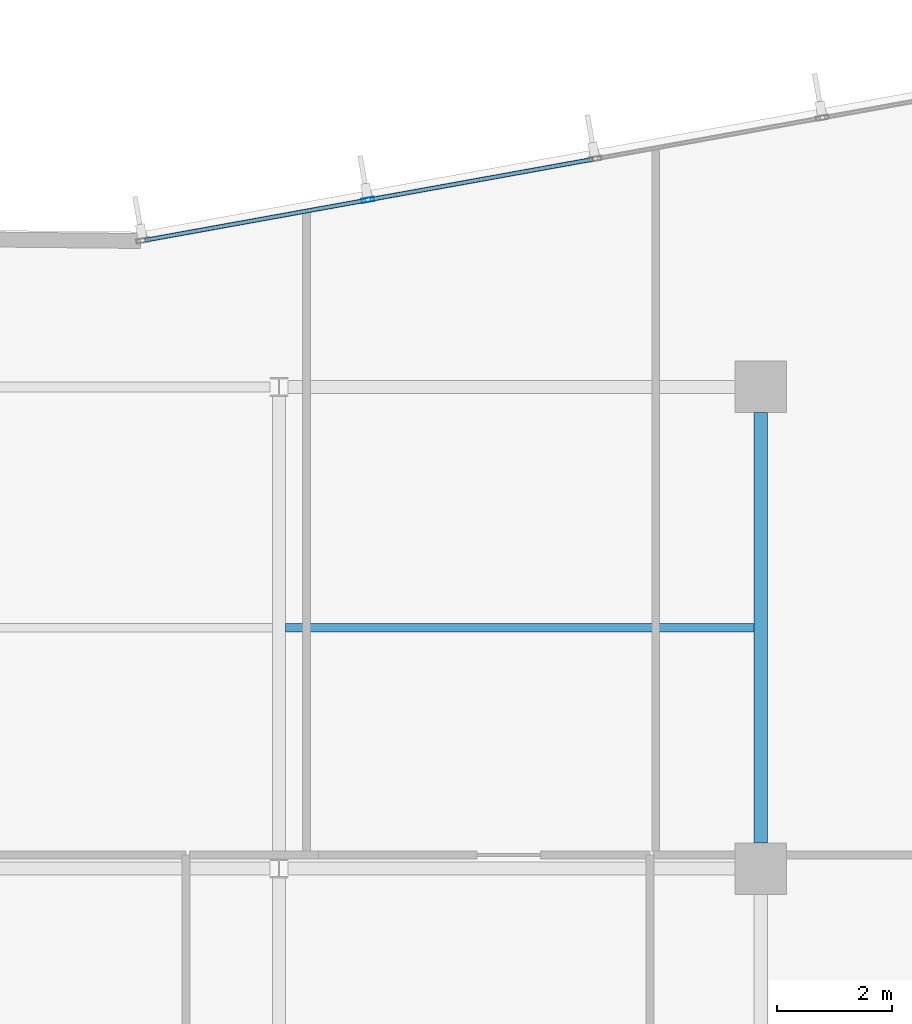
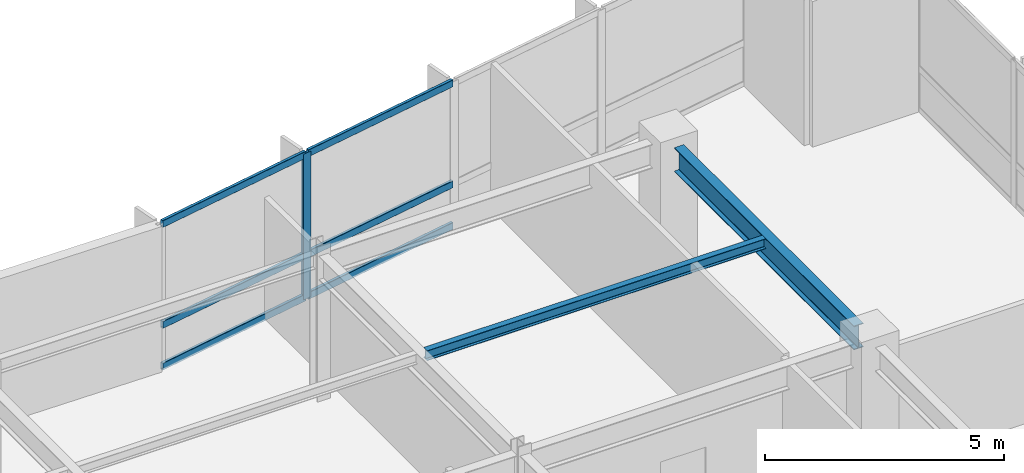
# One storey, part 8 of 21: 7 members, 2 beams, 1 element without a shape of its own.
"""IFC4 building model written with IfcOpenShell, lengths in metres."""

from ifc_helpers import new_model, si_unit, direction, frame, origin, origin_2d, place, context, subcontext, project, spatial, hollow_rectangle, i_section, extrude, material, layer, layer_set, material_profile, profile_set, type_object, element, aggregate, save


model = new_model("IFC4")

# Units and contexts
model_context = context("Model", 3, precision=1e-05, world=origin(), true_north=direction((0.0, 1.0)))
body_context = subcontext(model_context, "Body", "Model", "MODEL_VIEW")
ifc_project = project(units=[si_unit("LENGTHUNIT", "METRE"), si_unit("AREAUNIT", "SQUARE_METRE"), si_unit("VOLUMEUNIT", "CUBIC_METRE"), si_unit("PLANEANGLEUNIT", "RADIAN"), si_unit("MASSUNIT", "GRAM", prefix="KILO")], contexts=[model_context])

# Site, building, storey
site_placement = place(None, origin())
site = spatial("IfcSite", under=ifc_project, at=site_placement, CompositionType="ELEMENT")
building_placement = place(site_placement, origin())
building = spatial("IfcBuilding", under=site, at=building_placement, Name="Varnakote Quay Hospital", CompositionType="ELEMENT")
storey_placement = place(building_placement, frame((0.0, 0.0, 77.800048828125)))
storey = spatial("IfcBuildingStorey", under=building, at=storey_placement, Name="L19", CompositionType="ELEMENT", Elevation=77.800048828125)

# Beam
ifc_material_1 = material(Name="Structural steel AS/NZS 3679.1 Grade 350 L0 (fy 340 MPa)", Category="steel")
ifc_material_profile_1 = material_profile(ifc_material_1, i_section(OverallWidth=0.22900390625, OverallDepth=0.612060546875, WebThickness=0.011962890625, FlangeThickness=0.01953125, FilletRadius=0.013916015625, at=origin_2d()), Name="610UB125")
ifc_profile_set_1 = profile_set([ifc_material_profile_1], Name="Structural steel AS/NZS 3679.1 Grade 350 L0 (fy 340 MPa)")
beam_type_1 = type_object("IfcBeamType", Name="BM-STL-610UB125", PredefinedType="BEAM", material=ifc_profile_set_1)
beam_1_placement = place(storey_placement, frame((50.39990234375, 20.85009765625, 3.404052734375), z_axis=(0.0, 1.0, 0.0), x_axis=(-1.0, 0.0, 0.0)))
element("IfcBeam", 1, at=beam_1_placement, inside=storey, type_object=beam_type_1, Name="L19 Primary Tie Beam", PredefinedType="BEAM", context=body_context, shape_type="SweptSolid", body=[
    extrude(i_section(OverallWidth=0.22900390625, OverallDepth=0.612060546875, WebThickness=0.011962890625, FlangeThickness=0.01953125, FilletRadius=0.013916015625, at=origin_2d()), origin(), (0.0, 0.0, 1.0), 7.5),
])

# Curtain wall, members
ifc_material_2 = material(Name="Anodised aluminium 6063-T6 Bronze", Category="aluminium")
ifc_layer = layer(ifc_material_2, 0.18994140625)
ifc_layer_set = layer_set([ifc_layer], Name="Anodised aluminium 6063-T6 Bronze")
curtain_wall_type = type_object("IfcCurtainWallType", Name="CW-SYS-2", PredefinedType="NOTDEFINED", material=ifc_layer_set)
curtain_wall_placement = place(storey_placement, origin())
curtain_wall = element("IfcCurtainWall", 2, at=curtain_wall_placement, inside=storey, type_object=curtain_wall_type, Name="L19 Unitised Bronze Curtain Wall 2", PredefinedType="NOTDEFINED")
ifc_material_3 = material(Name="Anodised aluminium 6063-T6 Bronze", Category="aluminium")
ifc_material_profile_2 = material_profile(ifc_material_3, hollow_rectangle(XDim=0.074951171875, YDim=0.219970703125, WallThickness=0.00439453125, InnerFilletRadius=0.00439453125, OuterFilletRadius=0.009033203125, at=origin_2d()), Name="CW-MULL-220x75")
ifc_profile_set_2 = profile_set([ifc_material_profile_2], Name="Anodised aluminium 6063-T6 Bronze")
member_type_1 = type_object("IfcMemberType", Name="CW-MULL-220x75", PredefinedType="MULLION", material=ifc_profile_set_2)
member_1_placement = place(storey_placement, frame((43.55224609375, 32.06005859375, 0.0), z_axis=(0.0, 0.0, 1.0), x_axis=(0.177846199098, -0.984058295766, 0.0)))
member_1 = element("IfcMember", 3, at=member_1_placement, type_object=member_type_1, Name="-2-L19-2 mullion 4", PredefinedType="MULLION", context=body_context, shape_type="SweptSolid", body=[
    extrude(hollow_rectangle(XDim=0.074951171875, YDim=0.219970703125, WallThickness=0.00439453125, InnerFilletRadius=0.00439453125, OuterFilletRadius=0.009033203125, at=origin_2d()), origin(), (0.0, 0.0, 1.0), 3.7099609375),
])
ifc_material_4 = material(Name="Anodised aluminium 6063-T6 Bronze", Category="aluminium")
ifc_material_profile_3 = material_profile(ifc_material_4, hollow_rectangle(XDim=0.074951171875, YDim=0.179931640625, WallThickness=0.004150390625, InnerFilletRadius=0.004150390625, OuterFilletRadius=0.00830078125, at=origin_2d()), Name="CW-TRAN-180x75")
ifc_profile_set_3 = profile_set([ifc_material_profile_3], Name="Anodised aluminium 6063-T6 Bronze")
member_type_2 = type_object("IfcMemberType", Name="CW-TRAN-180x75", PredefinedType="USERDEFINED", material=ifc_profile_set_3)
member_2_placement = place(storey_placement, frame((47.477783203125, 32.76953125, 0.037353515625), z_axis=(-0.98405423478, -0.177868667876, 0.0), x_axis=(0.177868667876, -0.98405423478, 0.0)))
member_2 = element("IfcMember", 4, at=member_2_placement, type_object=member_type_2, Name="-2-L19-2 transom 3.1", ObjectType="TRANSOM", PredefinedType="USERDEFINED", context=body_context, shape_type="SweptSolid", body=[
    extrude(hollow_rectangle(XDim=0.074951171875, YDim=0.179931640625, WallThickness=0.004150390625, InnerFilletRadius=0.004150390625, OuterFilletRadius=0.00830078125, at=origin_2d()), origin(), (0.0, 0.0, 1.0), 3.95166015625),
])
member_3_placement = place(storey_placement, frame((47.477783203125, 32.76953125, 1.099853515625), z_axis=(-0.98405423478, -0.177868667876, 0.0), x_axis=(0.177868667876, -0.98405423478, 0.0)))
member_3 = element("IfcMember", 5, at=member_3_placement, type_object=member_type_2, Name="-2-L19-2 transom 3.2", ObjectType="TRANSOM", PredefinedType="USERDEFINED", context=body_context, shape_type="SweptSolid", body=[
    extrude(hollow_rectangle(XDim=0.074951171875, YDim=0.179931640625, WallThickness=0.004150390625, InnerFilletRadius=0.004150390625, OuterFilletRadius=0.00830078125, at=origin_2d()), origin(), (0.0, 0.0, 1.0), 3.95166015625),
])
member_4_placement = place(storey_placement, frame((47.477783203125, 32.76953125, 3.67236328125), z_axis=(-0.98405423478, -0.177868667876, 0.0), x_axis=(0.177868667876, -0.98405423478, 0.0)))
member_4 = element("IfcMember", 6, at=member_4_placement, type_object=member_type_2, Name="-2-L19-2 transom 3.3", ObjectType="TRANSOM", PredefinedType="USERDEFINED", context=body_context, shape_type="SweptSolid", body=[
    extrude(hollow_rectangle(XDim=0.074951171875, YDim=0.179931640625, WallThickness=0.004150390625, InnerFilletRadius=0.004150390625, OuterFilletRadius=0.00830078125, at=origin_2d()), origin(), (0.0, 0.0, 1.0), 3.95166015625),
])
member_5_placement = place(storey_placement, frame((43.515380859375, 32.053466796875, 0.037353515625), z_axis=(-0.984053005206, -0.177875470329, 0.0), x_axis=(0.177875470329, -0.984053005206, 0.0)))
member_5 = element("IfcMember", 7, at=member_5_placement, type_object=member_type_2, Name="-2-L19-2 transom 4.1", ObjectType="TRANSOM", PredefinedType="USERDEFINED", context=body_context, shape_type="SweptSolid", body=[
    extrude(hollow_rectangle(XDim=0.074951171875, YDim=0.179931640625, WallThickness=0.004150390625, InnerFilletRadius=0.004150390625, OuterFilletRadius=0.00830078125, at=origin_2d()), origin(), (0.0, 0.0, 1.0), 3.91455078125),
])
member_6_placement = place(storey_placement, frame((43.515380859375, 32.053466796875, 1.099853515625), z_axis=(-0.984053005206, -0.177875470329, 0.0), x_axis=(0.177875470329, -0.984053005206, 0.0)))
member_6 = element("IfcMember", 8, at=member_6_placement, type_object=member_type_2, Name="-2-L19-2 transom 4.2", ObjectType="TRANSOM", PredefinedType="USERDEFINED", context=body_context, shape_type="SweptSolid", body=[
    extrude(hollow_rectangle(XDim=0.074951171875, YDim=0.179931640625, WallThickness=0.004150390625, InnerFilletRadius=0.004150390625, OuterFilletRadius=0.00830078125, at=origin_2d()), origin(), (0.0, 0.0, 1.0), 3.91455078125),
])
member_7_placement = place(storey_placement, frame((43.515380859375, 32.053466796875, 3.67236328125), z_axis=(-0.984053005206, -0.177875470329, 0.0), x_axis=(0.177875470329, -0.984053005206, 0.0)))
member_7 = element("IfcMember", 9, at=member_7_placement, type_object=member_type_2, Name="-2-L19-2 transom 4.3", ObjectType="TRANSOM", PredefinedType="USERDEFINED", context=body_context, shape_type="SweptSolid", body=[
    extrude(hollow_rectangle(XDim=0.074951171875, YDim=0.179931640625, WallThickness=0.004150390625, InnerFilletRadius=0.004150390625, OuterFilletRadius=0.00830078125, at=origin_2d()), origin(), (0.0, 0.0, 1.0), 3.91455078125),
])
aggregate(curtain_wall, [member_1, member_2, member_3, member_4, member_5, member_6, member_7])

# Beam
ifc_material_5 = material(Name="Structural steel AS/NZS 3679.1 Grade 350 L0 (fy 340 MPa)", Category="steel")
ifc_material_profile_4 = material_profile(ifc_material_5, i_section(OverallWidth=0.14599609375, OverallDepth=0.256103515625, WebThickness=0.00634765625, FlangeThickness=0.010986328125, FilletRadius=0.0087890625, at=origin_2d()), Name="250UB37.3")
ifc_profile_set_4 = profile_set([ifc_material_profile_4], Name="Structural steel AS/NZS 3679.1 Grade 350 L0 (fy 340 MPa)")
beam_type_2 = type_object("IfcBeamType", Name="JST-STL-250UB37-3", PredefinedType="JOIST", material=ifc_profile_set_4)
beam_2_placement = place(storey_placement, frame((42.114501953125, 24.60009765625, 3.58203125), z_axis=(1.0, 0.0, 0.0), x_axis=(0.0, 1.0, 0.0)))
element("IfcBeam", 10, at=beam_2_placement, inside=storey, type_object=beam_type_2, Name="L19 Composite Floor Joist", PredefinedType="JOIST", context=body_context, shape_type="SweptSolid", body=[
    extrude(i_section(OverallWidth=0.14599609375, OverallDepth=0.256103515625, WebThickness=0.00634765625, FlangeThickness=0.010986328125, FilletRadius=0.0087890625, at=origin_2d()), origin(), (0.0, 0.0, 1.0), 8.1708984375),
])

save(model, "model.ifc")
